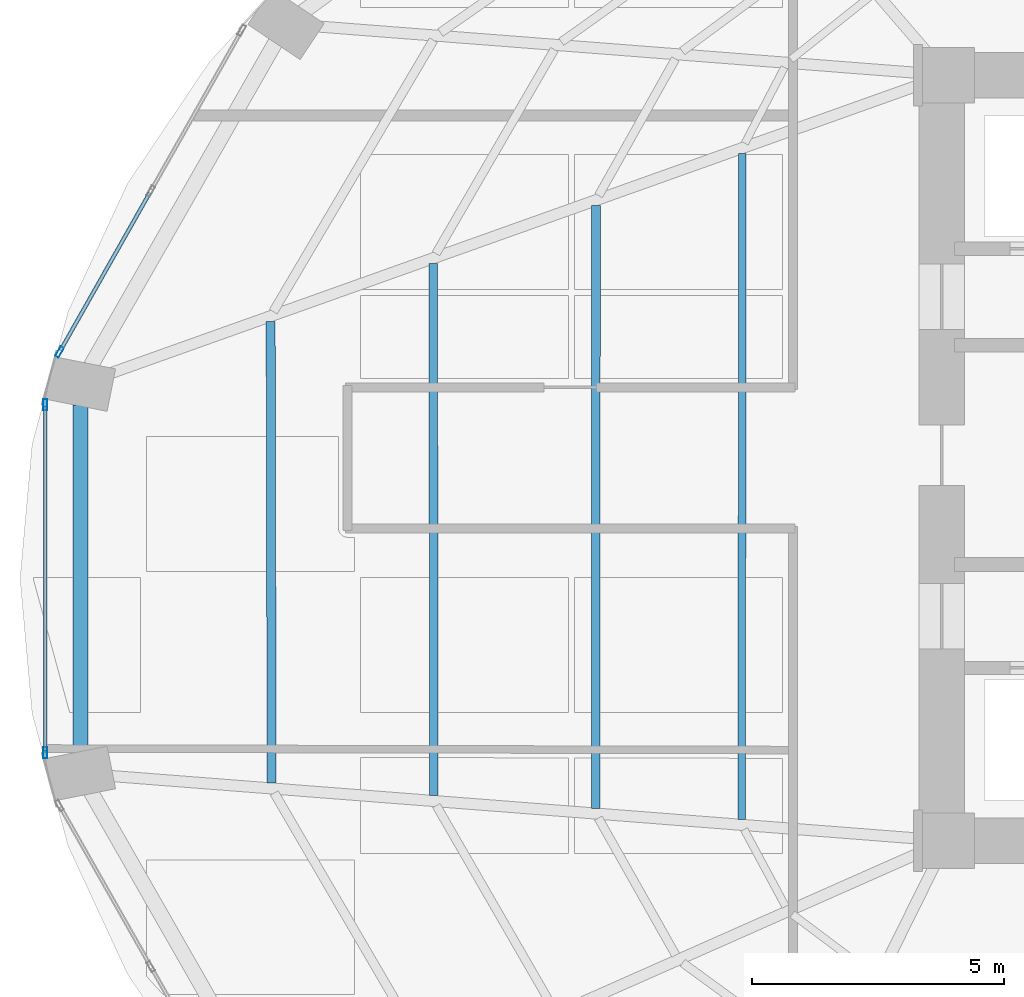
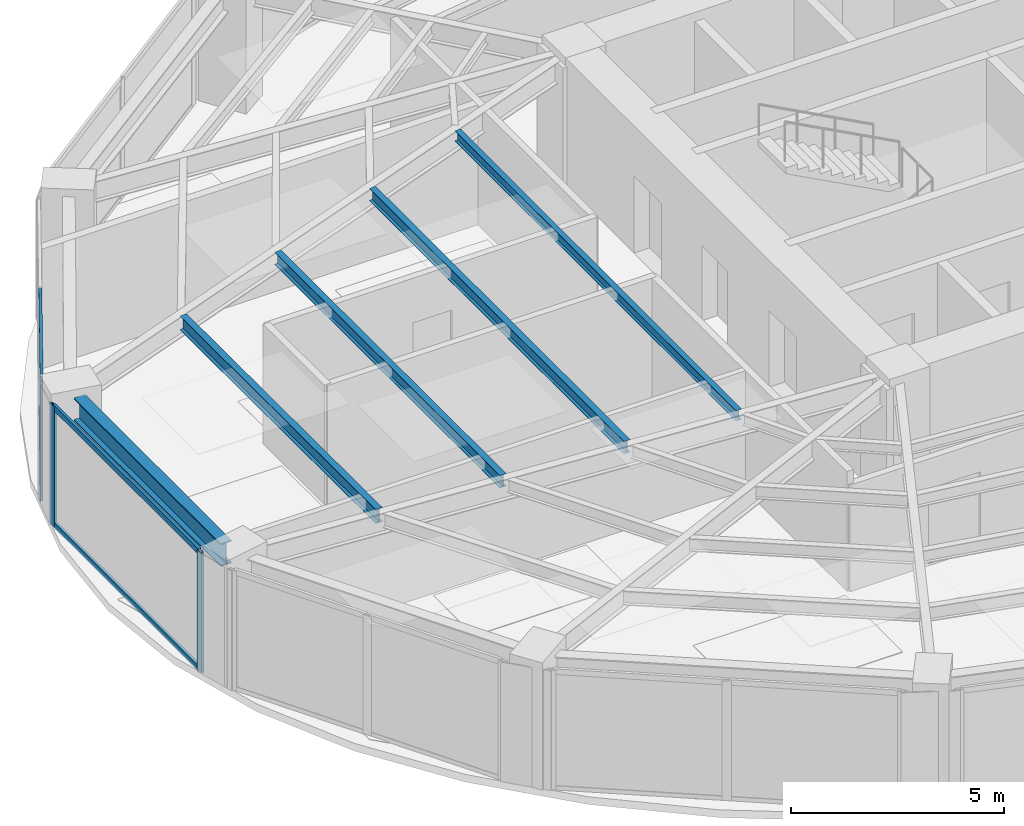
# One storey, part 7 of 24: 7 members, 5 beams, 2 elements without a shape of their own.
"""IFC4 building model written with IfcOpenShell, lengths in metres."""

from ifc_helpers import new_model, si_unit, direction, frame, origin, origin_2d, place, context, subcontext, project, spatial, hollow_rectangle, i_section, extrude, material, layer, layer_set, material_profile, profile_set, type_object, element, aggregate, save


model = new_model("IFC4")

# Units and contexts
model_context = context("Model", 3, precision=1e-05, world=origin(), true_north=direction((0.0, 1.0)))
body_context = subcontext(model_context, "Body", "Model", "MODEL_VIEW")
ifc_project = project(units=[si_unit("LENGTHUNIT", "METRE"), si_unit("AREAUNIT", "SQUARE_METRE"), si_unit("VOLUMEUNIT", "CUBIC_METRE"), si_unit("PLANEANGLEUNIT", "RADIAN"), si_unit("MASSUNIT", "GRAM", prefix="KILO")], contexts=[model_context])

# Site, building, storey
site_placement = place(None, origin())
site = spatial("IfcSite", under=ifc_project, at=site_placement, CompositionType="ELEMENT")
building_placement = place(site_placement, origin())
building = spatial("IfcBuilding", under=site, at=building_placement, Name="Lazwardi Medical Tower", CompositionType="ELEMENT")
storey_placement = place(building_placement, frame((0.0, 0.0, 61.679931640625)))
storey = spatial("IfcBuildingStorey", under=building, at=storey_placement, Name="L15", CompositionType="ELEMENT", Elevation=61.679931640625)

# Beams
ifc_material_1 = material(Name="Steel S355", Category="steel")
ifc_material_profile_1 = material_profile(ifc_material_1, i_section(OverallWidth=0.300048828125, OverallDepth=0.64990234375, WebThickness=0.01611328125, FlangeThickness=0.031005859375, at=origin_2d()), Name="HEB 650")
ifc_profile_set_1 = profile_set([ifc_material_profile_1], Name="Steel S355")
beam_type_1 = type_object("IfcBeamType", Name="BM-RB-Z1", PredefinedType="BEAM", material=ifc_profile_set_1)
beam_1_placement = place(storey_placement, frame((9.199951171875, 29.047607421875, 3.10302734375), z_axis=(0.0, -1.0, 0.0), x_axis=(1.0, 0.0, 0.0)))
element("IfcBeam", 1, at=beam_1_placement, inside=storey, type_object=beam_type_1, Name="Ring beam RB-02 B12 L15", PredefinedType="BEAM", context=body_context, shape_type="SweptSolid", body=[
    extrude(i_section(OverallWidth=0.300048828125, OverallDepth=0.64990234375, WebThickness=0.01611328125, FlangeThickness=0.031005859375, at=origin_2d()), origin(), (0.0, 0.0, 1.0), 6.895263671875),
])
ifc_material_profile_2 = material_profile(ifc_material_1, i_section(OverallWidth=0.179931640625, OverallDepth=0.39990234375, WebThickness=0.008544921875, FlangeThickness=0.013427734375, at=origin_2d()), Name="IPE 400")
ifc_profile_set_2 = profile_set([ifc_material_profile_2], Name="Steel S355")
beam_type_2 = type_object("IfcBeamType", Name="BM-SJ-01", PredefinedType="JOIST", material=ifc_profile_set_2)
beam_2_placement = place(storey_placement, frame((12.9765625, 30.708984375, 3.22802734375), z_axis=(0.002077613181, -0.999997841759, 0.0), x_axis=(0.999997841759, 0.002077613181, 0.0)))
element("IfcBeam", 2, at=beam_2_placement, inside=storey, type_object=beam_type_2, Name="Secondary joist SJ-01 R1 B12 L15", PredefinedType="JOIST", context=body_context, shape_type="SweptSolid", body=[
    extrude(i_section(OverallWidth=0.179931640625, OverallDepth=0.39990234375, WebThickness=0.008544921875, FlangeThickness=0.013427734375, at=origin_2d()), origin(), (0.0, 0.0, 1.0), 9.165771484375),
])
ifc_material_profile_3 = material_profile(ifc_material_1, i_section(OverallWidth=0.169921875, OverallDepth=0.360107421875, WebThickness=0.008056640625, FlangeThickness=0.0126953125, at=origin_2d()), Name="IPE 360")
ifc_profile_set_3 = profile_set([ifc_material_profile_3], Name="Steel S355")
beam_type_3 = type_object("IfcBeamType", Name="BM-SJ-02", PredefinedType="JOIST", material=ifc_profile_set_3)
beam_3_placement = place(storey_placement, frame((16.206298828125, 31.860595703125, 3.248046875), z_axis=(0.000670039821, -0.999999775523, 0.0), x_axis=(0.999999775523, 0.000670039821, 0.0)))
element("IfcBeam", 3, at=beam_3_placement, inside=storey, type_object=beam_type_3, Name="Secondary joist SJ-02 R2 B12 L15", PredefinedType="JOIST", context=body_context, shape_type="SweptSolid", body=[
    extrude(i_section(OverallWidth=0.169921875, OverallDepth=0.360107421875, WebThickness=0.008056640625, FlangeThickness=0.0126953125, at=origin_2d()), origin(), (0.0, 0.0, 1.0), 10.566650390625),
])
beam_4_placement = place(storey_placement, frame((19.43603515625, 33.01220703125, 3.248046875), z_axis=(-0.000387612685, -0.999999924878, 0.0), x_axis=(0.999999924878, -0.000387612685, 0.0)))
element("IfcBeam", 4, at=beam_4_placement, inside=storey, type_object=beam_type_3, Name="Secondary joist SJ-02 R3 B12 L15", PredefinedType="JOIST", context=body_context, shape_type="SweptSolid", body=[
    extrude(i_section(OverallWidth=0.169921875, OverallDepth=0.360107421875, WebThickness=0.008056640625, FlangeThickness=0.0126953125, at=origin_2d()), origin(), (0.0, 0.0, 1.0), 11.96728515625),
])
ifc_material_profile_4 = material_profile(ifc_material_1, i_section(OverallWidth=0.14990234375, OverallDepth=0.300048828125, WebThickness=0.007080078125, FlangeThickness=0.0107421875, at=origin_2d()), Name="IPE 300")
ifc_profile_set_4 = profile_set([ifc_material_profile_4], Name="Steel S355")
beam_type_4 = type_object("IfcBeamType", Name="BM-SJ-03", PredefinedType="JOIST", material=ifc_profile_set_4)
beam_5_placement = place(storey_placement, frame((22.343017578125, 34.048583984375, 3.278076171875), z_axis=(-0.001181203266, -0.999999302379, 0.0), x_axis=(0.999999302379, -0.001181203266, 0.0)))
element("IfcBeam", 5, at=beam_5_placement, inside=storey, type_object=beam_type_4, Name="Secondary joist SJ-03 R4 B12 L15", PredefinedType="JOIST", context=body_context, shape_type="SweptSolid", body=[
    extrude(i_section(OverallWidth=0.14990234375, OverallDepth=0.300048828125, WebThickness=0.007080078125, FlangeThickness=0.0107421875, at=origin_2d()), origin(), (0.0, 0.0, 1.0), 13.22802734375),
])

# Curtain wall, member
ifc_material_2 = material(Name="Anodised bronze aluminium and solar control glazing", Category="aluminium")
ifc_layer = layer(ifc_material_2, 0.199951171875)
ifc_layer_set = layer_set([ifc_layer], Name="Anodised bronze aluminium and solar control glazing")
curtain_wall_type = type_object("IfcCurtainWallType", Name="CW-SYS-02", PredefinedType="NOTDEFINED", material=ifc_layer_set)
curtain_wall_1_placement = place(storey_placement, origin())
curtain_wall_1 = element("IfcCurtainWall", 6, at=curtain_wall_1_placement, inside=storey, type_object=curtain_wall_type, Name="L15 Unitised bronze curtain wall CW-02", PredefinedType="NOTDEFINED")
ifc_material_3 = material(Name="Anodised bronze aluminium", Category="aluminium")
ifc_material_profile_5 = material_profile(ifc_material_3, hollow_rectangle(XDim=0.074951171875, YDim=0.219970703125, WallThickness=0.00390625, at=origin_2d()), Name="ALU-MULLION 220x75x4")
ifc_profile_set_5 = profile_set([ifc_material_profile_5], Name="Anodised bronze aluminium")
member_type_1 = type_object("IfcMemberType", Name="CW-MUL-01", PredefinedType="MULLION", material=ifc_profile_set_5)
member_1_placement = place(storey_placement, frame((8.785888671875, 30.102294921875, 0.0), z_axis=(0.0, 0.0, 1.0), x_axis=(0.870111838823, -0.492854327303, 0.0)))
member_1 = element("IfcMember", 7, at=member_1_placement, type_object=member_type_1, Name="CW-02 mullion 3", PredefinedType="MULLION", context=body_context, shape_type="SweptSolid", body=[
    extrude(hollow_rectangle(XDim=0.074951171875, YDim=0.219970703125, WallThickness=0.00390625, at=origin_2d()), origin(), (0.0, 0.0, 1.0), 3.427978515625),
])

# Curtain wall, members
curtain_wall_2_placement = place(storey_placement, origin())
curtain_wall_2 = element("IfcCurtainWall", 8, at=curtain_wall_2_placement, inside=storey, type_object=curtain_wall_type, Name="L15 Unitised bronze curtain wall CW-02", PredefinedType="NOTDEFINED")
member_2_placement = place(storey_placement, frame((8.50146484375, 29.053955078125, 0.0), z_axis=(0.0, 0.0, 1.0), x_axis=(1.0, 0.0, 0.0)))
member_2 = element("IfcMember", 9, at=member_2_placement, type_object=member_type_1, Name="CW-02 mullion 1", PredefinedType="MULLION", context=body_context, shape_type="SweptSolid", body=[
    extrude(hollow_rectangle(XDim=0.074951171875, YDim=0.219970703125, WallThickness=0.00390625, at=origin_2d()), origin(), (0.0, 0.0, 1.0), 3.427978515625),
])
member_3_placement = place(storey_placement, frame((8.50146484375, 22.14599609375, 0.0), z_axis=(0.0, 0.0, 1.0), x_axis=(1.0, 0.0, 0.0)))
member_3 = element("IfcMember", 10, at=member_3_placement, type_object=member_type_1, Name="CW-02 mullion 2", PredefinedType="MULLION", context=body_context, shape_type="SweptSolid", body=[
    extrude(hollow_rectangle(XDim=0.074951171875, YDim=0.219970703125, WallThickness=0.00390625, at=origin_2d()), origin(), (0.0, 0.0, 1.0), 3.427978515625),
])

# Member
ifc_material_profile_6 = material_profile(ifc_material_3, hollow_rectangle(XDim=0.074951171875, YDim=0.159912109375, WallThickness=0.00390625, at=origin_2d()), Name="ALU-TRANSOM 160x75x4")
ifc_profile_set_6 = profile_set([ifc_material_profile_6], Name="Anodised bronze aluminium")
member_type_2 = type_object("IfcMemberType", Name="CW-TRN-01", PredefinedType="USERDEFINED", material=ifc_profile_set_6)
member_4_placement = place(storey_placement, frame((10.576171875, 33.262939453125, 0.03759765625), z_axis=(-0.49285148925, -0.870113446365, 0.0), x_axis=(0.870113446365, -0.49285148925, 0.0)))
member_4 = element("IfcMember", 11, at=member_4_placement, type_object=member_type_2, Name="CW-02 transom 2.1", ObjectType="TRANSOM", PredefinedType="USERDEFINED", context=body_context, shape_type="SweptSolid", body=[
    extrude(hollow_rectangle(XDim=0.074951171875, YDim=0.159912109375, WallThickness=0.00390625, at=origin_2d()), origin(), (0.0, 0.0, 1.0), 3.594970703125),
])

member_5_placement = place(storey_placement, frame((10.576171875, 33.262939453125, 3.390625), z_axis=(-0.49285148925, -0.870113446365, 0.0), x_axis=(0.870113446365, -0.49285148925, 0.0)))
member_5 = element("IfcMember", 12, at=member_5_placement, type_object=member_type_2, Name="CW-02 transom 2.2", ObjectType="TRANSOM", PredefinedType="USERDEFINED", context=body_context, shape_type="SweptSolid", body=[
    extrude(hollow_rectangle(XDim=0.074951171875, YDim=0.159912109375, WallThickness=0.00390625, at=origin_2d()), origin(), (0.0, 0.0, 1.0), 3.594970703125),
])

aggregate(curtain_wall_1, [member_1, member_4, member_5])

member_6_placement = place(storey_placement, frame((8.50146484375, 29.0166015625, 0.03759765625), z_axis=(0.0, -1.0, 0.0), x_axis=(1.0, 0.0, 0.0)))
member_6 = element("IfcMember", 13, at=member_6_placement, type_object=member_type_2, Name="CW-02 transom 1.1", ObjectType="TRANSOM", PredefinedType="USERDEFINED", context=body_context, shape_type="SweptSolid", body=[
    extrude(hollow_rectangle(XDim=0.074951171875, YDim=0.159912109375, WallThickness=0.00390625, at=origin_2d()), origin(), (0.0, 0.0, 1.0), 6.8330078125),
])

member_7_placement = place(storey_placement, frame((8.50146484375, 29.0166015625, 3.390625), z_axis=(0.0, -1.0, 0.0), x_axis=(1.0, 0.0, 0.0)))
member_7 = element("IfcMember", 14, at=member_7_placement, type_object=member_type_2, Name="CW-02 transom 1.2", ObjectType="TRANSOM", PredefinedType="USERDEFINED", context=body_context, shape_type="SweptSolid", body=[
    extrude(hollow_rectangle(XDim=0.074951171875, YDim=0.159912109375, WallThickness=0.00390625, at=origin_2d()), origin(), (0.0, 0.0, 1.0), 6.8330078125),
])

aggregate(curtain_wall_2, [member_2, member_3, member_6, member_7])

save(model, "model.ifc")
